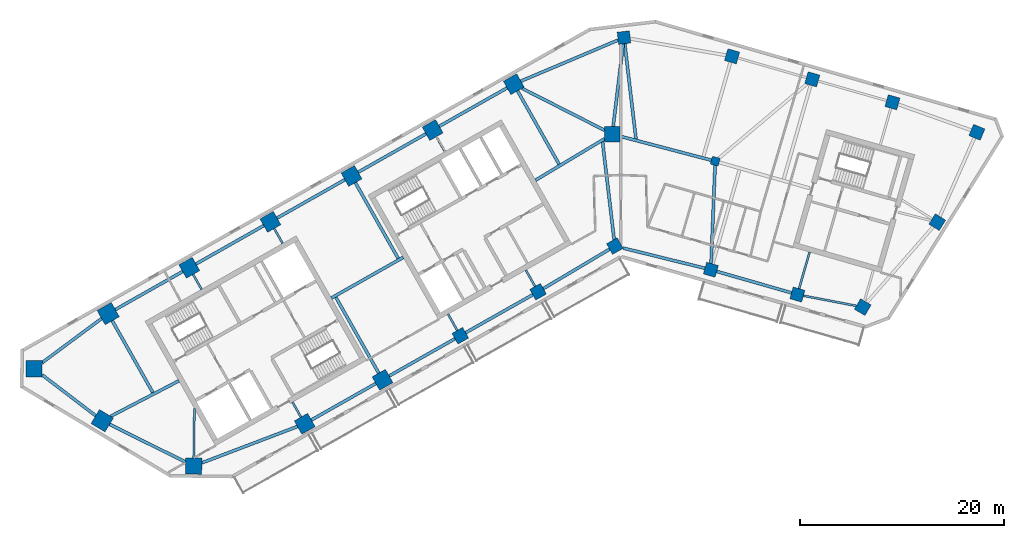
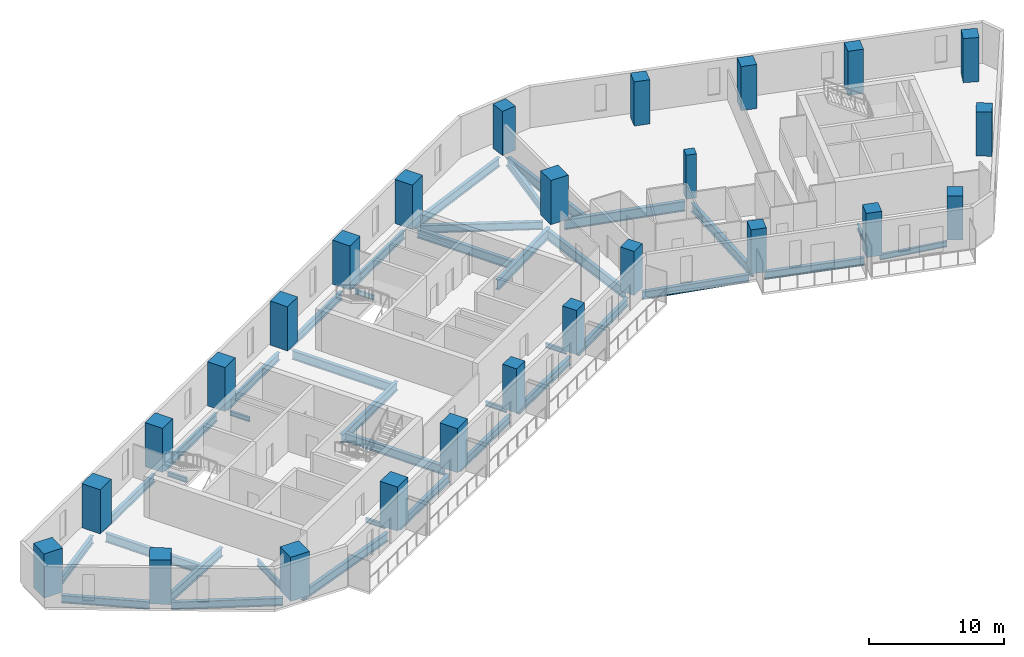
# One storey, part 1 of 9: 38 beams, 25 columns.
"""IFC4 building model written with IfcOpenShell, lengths in metres."""

from ifc_helpers import new_model, si_unit, direction, frame, origin, origin_2d, place, context, subcontext, project, spatial, rectangle, i_section, extrude, material, material_profile, profile_set, type_object, element, save


model = new_model("IFC4")

# Units and contexts
model_context = context("Model", 3, precision=1e-05, world=origin(), true_north=direction((0.0, 1.0)))
body_context = subcontext(model_context, "Body", "Model", "MODEL_VIEW")
ifc_project = project(units=[si_unit("LENGTHUNIT", "METRE"), si_unit("AREAUNIT", "SQUARE_METRE"), si_unit("VOLUMEUNIT", "CUBIC_METRE"), si_unit("PLANEANGLEUNIT", "RADIAN"), si_unit("MASSUNIT", "GRAM", prefix="KILO")], contexts=[model_context])

# Site, building, storey
site_placement = place(None, origin())
site = spatial("IfcSite", under=ifc_project, at=site_placement, CompositionType="ELEMENT")
building_placement = place(site_placement, origin())
building = spatial("IfcBuilding", under=site, at=building_placement, Name="Binnacle Exchange Tower", CompositionType="ELEMENT")
storey_placement = place(building_placement, frame((0.0, 0.0, 166.89990234375)))
storey = spatial("IfcBuildingStorey", under=building, at=storey_placement, Name="L35", CompositionType="ELEMENT", Elevation=166.89990234375)

# Columns
ifc_material_1 = material(Name="Concrete C60/75", Category="concrete")
ifc_material_profile_1 = material_profile(ifc_material_1, rectangle(XDim=0.800048828125, YDim=0.800048828125, at=origin_2d()), Name="Column 800x800 C60/75")
ifc_profile_set_1 = profile_set([ifc_material_profile_1], Name="Concrete C60/75")
column_type_1 = type_object("IfcColumnType", Name="Column 800x800 C60/75", PredefinedType="COLUMN", material=ifc_profile_set_1)
column_placement = place(storey_placement, frame((9.240966796875, 57.35009765625, 0.0), z_axis=(0.0, 0.0, 1.0), x_axis=(0.961261695938, -0.275637355817, 0.0)))
element("IfcColumn", 1, at=column_placement, inside=storey, type_object=column_type_1, Name="S:COL:C19:L35", PredefinedType="COLUMN", context=body_context, shape_type="SweptSolid", body=[
    extrude(rectangle(XDim=0.800048828125, YDim=0.800048828125, at=origin_2d()), origin(), (0.0, 0.0, 1.0), 4.0),
])
ifc_material_2 = material(Name="Concrete C70/85", Category="concrete")
ifc_material_profile_2 = material_profile(ifc_material_2, rectangle(XDim=1.199951171875, YDim=1.199951171875, at=origin_2d()), Name="Mega column 1200x1200 C70/85")
ifc_profile_set_2 = profile_set([ifc_material_profile_2], Name="Concrete C70/85")
column_type_2 = type_object("IfcColumnType", Name="Mega column 1200x1200 C70/85", PredefinedType="COLUMN", material=ifc_profile_set_2)
for number, where, z_axis, x_axis, name in (
    (2, (26.602783203125, 63.12353515625, 0.0), (0.0, 0.0, 1.0), (-0.961261695938, 0.275637355817, 0.0), "S:COL:MC52:L35"),
    (3, (18.746337890625, 65.376220703125, 0.0), (0.0, 0.0, 1.0), (-0.961261695938, 0.275637355817, 0.0), "S:COL:MC50:L35"),
    (4, (10.889892578125, 67.62890625, 0.0), (0.0, 0.0, 1.0), (-0.961261695938, 0.275637355817, 0.0), "S:COL:MC48:L35"),
    (5, (0.300048828125, 69.464111328125, 0.0), (0.0, 0.0, 1.0), (-0.993068456955, -0.117537397458, 0.0), "S:COL:MC47:L35"),
    (6, (-15.736328125, 40.257080078125, 0.0), (0.0, 0.0, 1.0), (0.87035569594, 0.492423560103, 0.0), "S:COL:MC24:L35"),
    (7, (-8.116943359375, 44.568115234375, 0.0), (0.0, 0.0, 1.0), (0.87035569594, 0.492423560103, 0.0), "S:COL:MC35:L35"),
    (8, (-0.5908203125, 49.04443359375, 0.0), (0.0, 0.0, 1.0), (0.87035569594, 0.492423560103, 0.0), "S:COL:MC46:L35"),
    (9, (8.8095703125, 46.722412109375, 0.0), (0.0, 0.0, 1.0), (0.961261695938, -0.275637355817, 0.0), "S:COL:MC49:L35"),
    (10, (17.2880859375, 44.291015625, 0.0), (0.0, 0.0, 1.0), (0.961261695938, -0.275637355817, 0.0), "S:COL:MC51:L35"),
    (11, (23.690185546875, 43.062744140625, 0.0), (0.0, 0.0, 1.0), (-0.86532642813, 0.501208711795, 0.0), "S:COL:MC53:L35"),
    (12, (30.989501953125, 51.38623046875, 0.0), (0.0, 0.0, 1.0), (0.529919264233, 0.848048096156, 0.0), "S:COL:MC55:L35"),
    (13, (34.870361328125, 60.18701171875, 0.0), (0.0, 0.0, 1.0), (-0.922814001807, 0.385245789164, 0.0), "S:COL:MC54:L35"),
):
    element("IfcColumn", number, at=place(storey_placement, frame(where, z_axis=z_axis, x_axis=x_axis)), inside=storey, type_object=column_type_2, Name=name, PredefinedType="COLUMN", context=body_context, shape_type="SweptSolid", body=[
        extrude(rectangle(XDim=1.199951171875, YDim=1.199951171875, at=origin_2d()), origin(), (0.0, 0.0, 1.0), 4.0),
    ])
ifc_material_profile_3 = material_profile(ifc_material_2, rectangle(XDim=1.5, YDim=1.5, at=origin_2d()), Name="Mega column 1500x1500 C70/85")
ifc_profile_set_3 = profile_set([ifc_material_profile_3], Name="Concrete C70/85")
column_type_3 = type_object("IfcColumnType", Name="Mega column 1500x1500 C70/85", PredefinedType="COLUMN", material=ifc_profile_set_3)
for number, where, z_axis, x_axis, name in (
    (14, (-10.4951171875, 64.901611328125, 0.0), (0.0, 0.0, 1.0), (-0.87035569594, -0.492423560103, 0.0), "S:COL:MC38:L35"),
    (15, (-18.44140625, 60.406005859375, 0.0), (0.0, 0.0, 1.0), (-0.87035569594, -0.492423560103, 0.0), "S:COL:MC29:L35"),
    (16, (-26.3876953125, 55.91015625, 0.0), (0.0, 0.0, 1.0), (-0.87035569594, -0.492423560103, 0.0), "S:COL:MC21:L35"),
    (17, (-34.333740234375, 51.414306640625, 0.0), (0.0, 0.0, 1.0), (-0.87035569594, -0.492423560103, 0.0), "S:COL:MC13:L35"),
    (18, (-42.280029296875, 46.918701171875, 0.0), (0.0, 0.0, 1.0), (-0.87035569594, -0.492423560103, 0.0), "S:COL:MC08:L35"),
    (19, (-30.9755859375, 31.63525390625, 0.0), (0.0, 0.0, 1.0), (0.87035569594, 0.492423560103, 0.0), "S:COL:MC07:L35"),
    (20, (-23.35595703125, 35.9462890625, 0.0), (0.0, 0.0, 1.0), (0.87035569594, 0.492423560103, 0.0), "S:COL:MC16:L35"),
    (21, (-0.85009765625, 60.0, 0.0), (0.0, 0.0, 1.0), (0.0, 1.0, 0.0), "S:COL:MC45:L35"),
):
    element("IfcColumn", number, at=place(storey_placement, frame(where, z_axis=z_axis, x_axis=x_axis)), inside=storey, type_object=column_type_3, Name=name, PredefinedType="COLUMN", context=body_context, shape_type="SweptSolid", body=[
        extrude(rectangle(XDim=1.5, YDim=1.5, at=origin_2d()), origin(), (0.0, 0.0, 1.0), 4.0),
    ])
ifc_material_profile_4 = material_profile(ifc_material_2, rectangle(XDim=1.60009765625, YDim=1.60009765625, at=origin_2d()), Name="Mega column 1600x1600 C70/85")
ifc_profile_set_4 = profile_set([ifc_material_profile_4], Name="Concrete C70/85")
column_type_4 = type_object("IfcColumnType", Name="Mega column 1600x1600 C70/85", PredefinedType="COLUMN", material=ifc_profile_set_4)
for number, where, z_axis, x_axis, name in (
    (22, (-50.226318359375, 42.4228515625, 0.0), (0.0, 0.0, 1.0), (-0.87035569594, -0.492423560103, 0.0), "S:COL:MC04:L35"),
    (23, (-57.492919921875, 37.02734375, 0.0), (0.0, 0.0, 1.0), (-0.013089595571, -0.999914327574, 0.0), "S:COL:MC02:L35"),
    (24, (-50.81201171875, 31.930908203125, 0.0), (0.0, 0.0, 1.0), (0.857167300702, -0.51503807491, 0.0), "S:COL:MC01:L35"),
    (25, (-41.857666015625, 27.494873046875, 0.0), (0.0, 0.0, 1.0), (0.999914327574, -0.013089595571, 0.0), "S:COL:MC03:L35"),
):
    element("IfcColumn", number, at=place(storey_placement, frame(where, z_axis=z_axis, x_axis=x_axis)), inside=storey, type_object=column_type_4, Name=name, PredefinedType="COLUMN", context=body_context, shape_type="SweptSolid", body=[
        extrude(rectangle(XDim=1.60009765625, YDim=1.60009765625, at=origin_2d()), origin(), (0.0, 0.0, 1.0), 4.0),
    ])

# Beams
ifc_material_3 = material(Name="Steel S355 (SHN355)", Category="steel")
ifc_material_profile_5 = material_profile(ifc_material_3, i_section(OverallWidth=0.200927734375, OverallDepth=0.506103515625, WebThickness=0.010986328125, FlangeThickness=0.01904296875, FilletRadius=0.02001953125, at=origin_2d()), Name="H 506x201x11x19")
ifc_profile_set_5 = profile_set([ifc_material_profile_5], Name="Steel S355 (SHN355)")
beam_type_1 = type_object("IfcBeamType", Name="Edge girder H 506x201x11x19 Steel S355 (SHN355)", PredefinedType="SPANDREL", material=ifc_profile_set_5)
beam_1_placement = place(storey_placement, frame((17.8798828125, 44.177490234375, -0.572998046875), z_axis=(0.982085171807, -0.188437563446, 0.0), x_axis=(0.188437563446, 0.982085171807, 0.0)))
element("IfcBeam", 26, at=beam_1_placement, inside=storey, type_object=beam_type_1, Name="S:BM:edge:L35:028", PredefinedType="SPANDREL", context=body_context, shape_type="SweptSolid", body=[
    extrude(i_section(OverallWidth=0.200927734375, OverallDepth=0.506103515625, WebThickness=0.010986328125, FlangeThickness=0.01904296875, FilletRadius=0.02001953125, at=origin_2d()), origin(), (0.0, 0.0, 1.0), 5.281005859375),
])
ifc_material_profile_6 = material_profile(ifc_material_3, i_section(OverallWidth=0.300048828125, OverallDepth=0.699951171875, WebThickness=0.012939453125, FlangeThickness=0.02392578125, FilletRadius=0.028076171875, at=origin_2d()), Name="H 700x300x13x24")
ifc_profile_set_6 = profile_set([ifc_material_profile_6], Name="Steel S355 (SHN355)")
beam_type_2 = type_object("IfcBeamType", Name="Edge girder H 700x300x13x24 Steel S355 (SHN355)", PredefinedType="SPANDREL", material=ifc_profile_set_6)
beam_2_placement = place(storey_placement, frame((-56.70068359375, 36.423095703125, -0.669921875), z_axis=(0.795078424379, -0.606506635649, 0.0), x_axis=(0.606506635649, 0.795078424379, 0.0)))
element("IfcBeam", 27, at=beam_2_placement, inside=storey, type_object=beam_type_2, Name="S:BM:edge:L35:011", PredefinedType="SPANDREL", context=body_context, shape_type="SweptSolid", body=[
    extrude(i_section(OverallWidth=0.300048828125, OverallDepth=0.699951171875, WebThickness=0.012939453125, FlangeThickness=0.02392578125, FilletRadius=0.028076171875, at=origin_2d()), origin(), (0.0, 0.0, 1.0), 6.6015625),
])
beam_3_placement = place(storey_placement, frame((-50.87353515625, 41.9423828125, -0.669921875), z_axis=(-0.802872533272, -0.596150732044, 0.0), x_axis=(0.596150732044, -0.802872533272, 0.0)))
element("IfcBeam", 28, at=beam_3_placement, inside=storey, type_object=beam_type_2, Name="S:BM:edge:L35:012", PredefinedType="SPANDREL", context=body_context, shape_type="SweptSolid", body=[
    extrude(i_section(OverallWidth=0.300048828125, OverallDepth=0.699951171875, WebThickness=0.012939453125, FlangeThickness=0.02392578125, FilletRadius=0.028076171875, at=origin_2d()), origin(), (0.0, 0.0, 1.0), 7.238525390625),
])
beam_4_placement = place(storey_placement, frame((-50.0927734375, 31.57470703125, -0.669921875), z_axis=(0.896061869104, -0.443929191131, 0.0), x_axis=(0.443929191131, 0.896061869104, 0.0)))
element("IfcBeam", 29, at=beam_4_placement, inside=storey, type_object=beam_type_2, Name="S:BM:edge:L35:013", PredefinedType="SPANDREL", context=body_context, shape_type="SweptSolid", body=[
    extrude(i_section(OverallWidth=0.300048828125, OverallDepth=0.699951171875, WebThickness=0.012939453125, FlangeThickness=0.02392578125, FilletRadius=0.028076171875, at=origin_2d()), origin(), (0.0, 0.0, 1.0), 8.30322265625),
])
beam_5_placement = place(storey_placement, frame((-42.932861328125, 46.54931640625, -0.669921875), z_axis=(-0.870352192811, -0.492429751811, 0.0), x_axis=(0.492429751811, -0.870352192811, 0.0)))
element("IfcBeam", 30, at=beam_5_placement, inside=storey, type_object=beam_type_2, Name="S:BM:edge:L35:014", PredefinedType="SPANDREL", context=body_context, shape_type="SweptSolid", body=[
    extrude(i_section(OverallWidth=0.300048828125, OverallDepth=0.699951171875, WebThickness=0.012939453125, FlangeThickness=0.02392578125, FilletRadius=0.028076171875, at=origin_2d()), origin(), (0.0, 0.0, 1.0), 7.57958984375),
])
beam_6_placement = place(storey_placement, frame((-34.986572265625, 51.045166015625, -0.669921875), z_axis=(-0.870355964277, -0.492423085818, 0.0), x_axis=(0.492423085818, -0.870355964277, 0.0)))
element("IfcBeam", 31, at=beam_6_placement, inside=storey, type_object=beam_type_2, Name="S:BM:edge:L35:016", PredefinedType="SPANDREL", context=body_context, shape_type="SweptSolid", body=[
    extrude(i_section(OverallWidth=0.300048828125, OverallDepth=0.699951171875, WebThickness=0.012939453125, FlangeThickness=0.02392578125, FilletRadius=0.028076171875, at=origin_2d()), origin(), (0.0, 0.0, 1.0), 7.6298828125),
])
beam_7_placement = place(storey_placement, frame((-30.32275390625, 32.004638671875, -0.669921875), z_axis=(0.870355920795, 0.492423162674, 0.0), x_axis=(-0.492423162674, 0.870355920795, 0.0)))
element("IfcBeam", 32, at=beam_7_placement, inside=storey, type_object=beam_type_2, Name="S:BM:edge:L35:017", PredefinedType="SPANDREL", context=body_context, shape_type="SweptSolid", body=[
    extrude(i_section(OverallWidth=0.300048828125, OverallDepth=0.699951171875, WebThickness=0.012939453125, FlangeThickness=0.02392578125, FilletRadius=0.028076171875, at=origin_2d()), origin(), (0.0, 0.0, 1.0), 7.25439453125),
])
beam_8_placement = place(storey_placement, frame((-27.040283203125, 55.541015625, -0.669921875), z_axis=(-0.870342250182, -0.492447324643, 0.0), x_axis=(0.492447324643, -0.870342250182, 0.0)))
element("IfcBeam", 33, at=beam_8_placement, inside=storey, type_object=beam_type_2, Name="S:BM:edge:L35:018", PredefinedType="SPANDREL", context=body_context, shape_type="SweptSolid", body=[
    extrude(i_section(OverallWidth=0.300048828125, OverallDepth=0.699951171875, WebThickness=0.012939453125, FlangeThickness=0.02392578125, FilletRadius=0.028076171875, at=origin_2d()), origin(), (0.0, 0.0, 1.0), 7.6298828125),
])
beam_9_placement = place(storey_placement, frame((-22.703125, 36.3154296875, -0.669921875), z_axis=(0.87035151347, 0.49243095252, 0.0), x_axis=(-0.49243095252, 0.87035151347, 0.0)))
element("IfcBeam", 34, at=beam_9_placement, inside=storey, type_object=beam_type_2, Name="S:BM:edge:L35:019", PredefinedType="SPANDREL", context=body_context, shape_type="SweptSolid", body=[
    extrude(i_section(OverallWidth=0.300048828125, OverallDepth=0.699951171875, WebThickness=0.012939453125, FlangeThickness=0.02392578125, FilletRadius=0.028076171875, at=origin_2d()), origin(), (0.0, 0.0, 1.0), 7.404541015625),
])
beam_10_placement = place(storey_placement, frame((-19.093994140625, 60.03662109375, -0.669921875), z_axis=(-0.870363722936, -0.492409372165, 0.0), x_axis=(0.492409372165, -0.870363722936, 0.0)))
element("IfcBeam", 35, at=beam_10_placement, inside=storey, type_object=beam_type_2, Name="S:BM:edge:L35:020", PredefinedType="SPANDREL", context=body_context, shape_type="SweptSolid", body=[
    extrude(i_section(OverallWidth=0.300048828125, OverallDepth=0.699951171875, WebThickness=0.012939453125, FlangeThickness=0.02392578125, FilletRadius=0.028076171875, at=origin_2d()), origin(), (0.0, 0.0, 1.0), 7.6298828125),
])
beam_11_placement = place(storey_placement, frame((-15.214111328125, 40.552734375, -0.669921875), z_axis=(0.870353295418, 0.492427802988, 0.0), x_axis=(-0.492427802988, 0.870353295418, 0.0)))
element("IfcBeam", 36, at=beam_11_placement, inside=storey, type_object=beam_type_2, Name="S:BM:edge:L35:021", PredefinedType="SPANDREL", context=body_context, shape_type="SweptSolid", body=[
    extrude(i_section(OverallWidth=0.300048828125, OverallDepth=0.699951171875, WebThickness=0.012939453125, FlangeThickness=0.02392578125, FilletRadius=0.028076171875, at=origin_2d()), origin(), (0.0, 0.0, 1.0), 7.554443359375),
])
beam_12_placement = place(storey_placement, frame((-11.14794921875, 64.532470703125, -0.669921875), z_axis=(-0.870355964277, -0.492423085818, 0.0), x_axis=(0.492423085818, -0.870355964277, 0.0)))
element("IfcBeam", 37, at=beam_12_placement, inside=storey, type_object=beam_type_2, Name="S:BM:edge:L35:022", PredefinedType="SPANDREL", context=body_context, shape_type="SweptSolid", body=[
    extrude(i_section(OverallWidth=0.300048828125, OverallDepth=0.699951171875, WebThickness=0.012939453125, FlangeThickness=0.02392578125, FilletRadius=0.028076171875, at=origin_2d()), origin(), (0.0, 0.0, 1.0), 7.6298828125),
])
beam_13_placement = place(storey_placement, frame((-7.60107421875, 44.875, -0.669921875), z_axis=(0.85946222832, 0.511199254783, 0.0), x_axis=(-0.511199254783, 0.85946222832, 0.0)))
element("IfcBeam", 38, at=beam_13_placement, inside=storey, type_object=beam_type_2, Name="S:BM:edge:L35:023", PredefinedType="SPANDREL", context=body_context, shape_type="SweptSolid", body=[
    extrude(i_section(OverallWidth=0.300048828125, OverallDepth=0.699951171875, WebThickness=0.012939453125, FlangeThickness=0.02392578125, FilletRadius=0.028076171875, at=origin_2d()), origin(), (0.0, 0.0, 1.0), 7.556396484375),
])
beam_14_placement = place(storey_placement, frame((0.21044921875, 48.846435546875, -0.669921875), z_axis=(0.970817017645, -0.239821429924, 0.0), x_axis=(0.239821429924, 0.970817017645, 0.0)))
element("IfcBeam", 39, at=beam_14_placement, inside=storey, type_object=beam_type_2, Name="S:BM:edge:L35:025", PredefinedType="SPANDREL", context=body_context, shape_type="SweptSolid", body=[
    extrude(i_section(OverallWidth=0.300048828125, OverallDepth=0.699951171875, WebThickness=0.012939453125, FlangeThickness=0.02392578125, FilletRadius=0.028076171875, at=origin_2d()), origin(), (0.0, 0.0, 1.0), 8.257080078125),
])
beam_15_placement = place(storey_placement, frame((9.38623046875, 46.556884765625, -0.669921875), z_axis=(0.961266012815, -0.275622300635, 0.0), x_axis=(0.275622300635, 0.961266012815, 0.0)))
element("IfcBeam", 40, at=beam_15_placement, inside=storey, type_object=beam_type_2, Name="S:BM:edge:L35:026", PredefinedType="SPANDREL", context=body_context, shape_type="SweptSolid", body=[
    extrude(i_section(OverallWidth=0.300048828125, OverallDepth=0.699951171875, WebThickness=0.012939453125, FlangeThickness=0.02392578125, FilletRadius=0.028076171875, at=origin_2d()), origin(), (0.0, 0.0, 1.0), 7.620361328125),
])
ifc_material_profile_7 = material_profile(ifc_material_3, i_section(OverallWidth=0.300048828125, OverallDepth=0.800048828125, WebThickness=0.013916015625, FlangeThickness=0.02587890625, FilletRadius=0.028076171875, at=origin_2d()), Name="H 800x300x14x26")
ifc_profile_set_7 = profile_set([ifc_material_profile_7], Name="Steel S355 (SHN355)")
beam_type_3 = type_object("IfcBeamType", Name="Edge girder H 800x300x14x26 Steel S355 (SHN355)", PredefinedType="SPANDREL", material=ifc_profile_set_7)
beam_16_placement = place(storey_placement, frame((-41.0537109375, 27.80078125, -0.719970703125), z_axis=(0.934633884233, 0.355611448695, 0.0), x_axis=(-0.355611448695, 0.934633884233, 0.0)))
element("IfcBeam", 41, at=beam_16_placement, inside=storey, type_object=beam_type_3, Name="S:BM:edge:L35:015", PredefinedType="SPANDREL", context=body_context, shape_type="SweptSolid", body=[
    extrude(i_section(OverallWidth=0.300048828125, OverallDepth=0.800048828125, WebThickness=0.013916015625, FlangeThickness=0.02587890625, FilletRadius=0.028076171875, at=origin_2d()), origin(), (0.0, 0.0, 1.0), 10.024169921875),
])
beam_17_placement = place(storey_placement, frame((-0.275390625, 69.220947265625, -0.719970703125), z_axis=(-0.921111875234, -0.389297974953, 0.0), x_axis=(0.389297974953, -0.921111875234, 0.0)))
element("IfcBeam", 42, at=beam_17_placement, inside=storey, type_object=beam_type_3, Name="S:BM:edge:L35:024", PredefinedType="SPANDREL", context=body_context, shape_type="SweptSolid", body=[
    extrude(i_section(OverallWidth=0.300048828125, OverallDepth=0.800048828125, WebThickness=0.013916015625, FlangeThickness=0.02587890625, FilletRadius=0.028076171875, at=origin_2d()), origin(), (0.0, 0.0, 1.0), 10.340087890625),
])
ifc_material_profile_8 = material_profile(ifc_material_3, i_section(OverallWidth=0.199951171875, OverallDepth=0.39990234375, WebThickness=0.008056640625, FlangeThickness=0.012939453125, FilletRadius=0.01611328125, at=origin_2d()), Name="H 400x200x8x13")
ifc_profile_set_8 = profile_set([ifc_material_profile_8], Name="Steel S355 (SHN355)")
beam_type_4 = type_object("IfcBeamType", Name="Floor beam H 400x200x8x13 Steel S355 (SHN355)", PredefinedType="BEAM", material=ifc_profile_set_8)
beam_18_placement = place(storey_placement, frame((-41.91064453125, 46.265869140625, -0.52001953125), z_axis=(0.49243456751, -0.870349468157, 0.0), x_axis=(0.870349468157, 0.49243456751, 0.0)))
element("IfcBeam", 43, at=beam_18_placement, inside=storey, type_object=beam_type_4, Name="S:BM:cross:L35:035", PredefinedType="BEAM", context=body_context, shape_type="SweptSolid", body=[
    extrude(i_section(OverallWidth=0.199951171875, OverallDepth=0.39990234375, WebThickness=0.008056640625, FlangeThickness=0.012939453125, FilletRadius=0.01611328125, at=origin_2d()), origin(), (0.0, 0.0, 1.0), 1.68408203125),
])
beam_19_placement = place(storey_placement, frame((-33.964599609375, 50.76171875, -0.52001953125), z_axis=(0.492482237839, -0.870322495063, 0.0), x_axis=(0.870322495063, 0.492482237839, 0.0)))
element("IfcBeam", 44, at=beam_19_placement, inside=storey, type_object=beam_type_4, Name="S:BM:cross:L35:037", PredefinedType="BEAM", context=body_context, shape_type="SweptSolid", body=[
    extrude(i_section(OverallWidth=0.199951171875, OverallDepth=0.39990234375, WebThickness=0.008056640625, FlangeThickness=0.012939453125, FilletRadius=0.01611328125, at=origin_2d()), origin(), (0.0, 0.0, 1.0), 1.6845703125),
])
for number, where, z_axis, x_axis, name in (
    (45, (-31.344970703125, 32.2880859375, -0.52001953125), (-0.49243456751, 0.870349468157, 0.0), (-0.870349468157, -0.49243456751, 0.0), "S:BM:cross:L35:038"),
    (46, (-18.072021484375, 59.753173828125, -0.52001953125), (0.49243456751, -0.870349468157, 0.0), (0.870349468157, 0.49243456751, 0.0), "S:BM:cross:L35:041"),
):
    element("IfcBeam", number, at=place(storey_placement, frame(where, z_axis=z_axis, x_axis=x_axis)), inside=storey, type_object=beam_type_4, Name=name, PredefinedType="BEAM", context=body_context, shape_type="SweptSolid", body=[
        extrude(i_section(OverallWidth=0.199951171875, OverallDepth=0.39990234375, WebThickness=0.008056640625, FlangeThickness=0.012939453125, FilletRadius=0.01611328125, at=origin_2d()), origin(), (0.0, 0.0, 1.0), 1.68408203125),
    ])
beam_20_placement = place(storey_placement, frame((-16.031982421875, 40.779296875, -0.52001953125), z_axis=(-0.492307212856, 0.870421511781, 0.0), x_axis=(-0.870421511781, -0.492307212856, 0.0)))
element("IfcBeam", 47, at=beam_20_placement, inside=storey, type_object=beam_type_4, Name="S:BM:cross:L35:042", PredefinedType="BEAM", context=body_context, shape_type="SweptSolid", body=[
    extrude(i_section(OverallWidth=0.199951171875, OverallDepth=0.39990234375, WebThickness=0.008056640625, FlangeThickness=0.012939453125, FilletRadius=0.01611328125, at=origin_2d()), origin(), (0.0, 0.0, 1.0), 1.83447265625),
])
beam_21_placement = place(storey_placement, frame((-8.412353515625, 45.09033203125, -0.52001953125), z_axis=(-0.492465079532, 0.87033220407, 0.0), x_axis=(-0.87033220407, -0.492465079532, 0.0)))
element("IfcBeam", 48, at=beam_21_placement, inside=storey, type_object=beam_type_4, Name="S:BM:cross:L35:044", PredefinedType="BEAM", context=body_context, shape_type="SweptSolid", body=[
    extrude(i_section(OverallWidth=0.199951171875, OverallDepth=0.39990234375, WebThickness=0.008056640625, FlangeThickness=0.012939453125, FilletRadius=0.01611328125, at=origin_2d()), origin(), (0.0, 0.0, 1.0), 1.834228515625),
])
ifc_material_profile_9 = material_profile(ifc_material_3, i_section(OverallWidth=0.199951171875, OverallDepth=0.5, WebThickness=0.010009765625, FlangeThickness=0.01611328125, FilletRadius=0.02001953125, at=origin_2d()), Name="H 500x200x10x16")
ifc_profile_set_9 = profile_set([ifc_material_profile_9], Name="Steel S355 (SHN355)")
beam_type_5 = type_object("IfcBeamType", Name="Floor beam H 500x200x10x16 Steel S355 (SHN355)", PredefinedType="BEAM", material=ifc_profile_set_9)
beam_22_placement = place(storey_placement, frame((17.45361328125, 44.867919921875, -0.56982421875), z_axis=(0.275644746045, 0.961259576794, 0.0), x_axis=(-0.961259576794, 0.275644746045, 0.0)))
element("IfcBeam", 49, at=beam_22_placement, inside=storey, type_object=beam_type_5, Name="S:BM:cross:L35:049", PredefinedType="BEAM", context=body_context, shape_type="SweptSolid", body=[
    extrude(i_section(OverallWidth=0.199951171875, OverallDepth=0.5, WebThickness=0.010009765625, FlangeThickness=0.01611328125, FilletRadius=0.02001953125, at=origin_2d()), origin(), (0.0, 0.0, 1.0), 3.735107421875),
])
ifc_material_profile_10 = material_profile(ifc_material_3, i_section(OverallWidth=0.200927734375, OverallDepth=0.60595703125, WebThickness=0.011962890625, FlangeThickness=0.02001953125, FilletRadius=0.02197265625, at=origin_2d()), Name="H 606x201x12x20")
ifc_profile_set_10 = profile_set([ifc_material_profile_10], Name="Steel S355 (SHN355)")
beam_type_6 = type_object("IfcBeamType", Name="Floor beam H 606x201x12x20 Steel S355 (SHN355)", PredefinedType="BEAM", material=ifc_profile_set_10)
beam_23_placement = place(storey_placement, frame((-41.84716796875, 28.294677734375, -0.622802734375), z_axis=(0.013085908175, 0.999914375838, 0.0), x_axis=(-0.999914375838, 0.013085908175, 0.0)))
element("IfcBeam", 50, at=beam_23_placement, inside=storey, type_object=beam_type_6, Name="S:BM:cross:L35:036", PredefinedType="BEAM", context=body_context, shape_type="SweptSolid", body=[
    extrude(i_section(OverallWidth=0.200927734375, OverallDepth=0.60595703125, WebThickness=0.011962890625, FlangeThickness=0.02001953125, FilletRadius=0.02197265625, at=origin_2d()), origin(), (0.0, 0.0, 1.0), 4.850830078125),
])
ifc_material_profile_11 = material_profile(ifc_material_3, i_section(OverallWidth=0.302001953125, OverallDepth=0.80810546875, WebThickness=0.01611328125, FlangeThickness=0.030029296875, FilletRadius=0.028076171875, at=origin_2d()), Name="H 808x302x16x30")
ifc_profile_set_11 = profile_set([ifc_material_profile_11], Name="Steel S355 (SHN355)")
beam_type_7 = type_object("IfcBeamType", Name="Floor beam H 808x302x16x30 Steel S355 (SHN355)", PredefinedType="BEAM", material=ifc_profile_set_11)
beam_24_placement = place(storey_placement, frame((-49.832275390625, 41.7265625, -0.723876953125), z_axis=(0.492430056331, -0.870352020519, 0.0), x_axis=(0.870352020519, 0.492430056331, 0.0)))
element("IfcBeam", 51, at=beam_24_placement, inside=storey, type_object=beam_type_7, Name="S:BM:cross:L35:034", PredefinedType="BEAM", context=body_context, shape_type="SweptSolid", body=[
    extrude(i_section(OverallWidth=0.302001953125, OverallDepth=0.80810546875, WebThickness=0.01611328125, FlangeThickness=0.030029296875, FilletRadius=0.028076171875, at=origin_2d()), origin(), (0.0, 0.0, 1.0), 8.09130859375),
])
for number, where, z_axis, x_axis, name in (
    (52, (-26.018310546875, 55.25732421875, -0.723876953125), (0.4924220214, -0.870356566495, 0.0), (0.870356566495, 0.4924220214, 0.0), "S:BM:cross:L35:039"),
    (53, (-23.725341796875, 36.59912109375, -0.723876953125), (-0.4924220214, 0.870356566495, 0.0), (-0.870356566495, -0.4924220214, 0.0), "S:BM:cross:L35:040"),
):
    element("IfcBeam", number, at=place(storey_placement, frame(where, z_axis=z_axis, x_axis=x_axis)), inside=storey, type_object=beam_type_7, Name=name, PredefinedType="BEAM", context=body_context, shape_type="SweptSolid", body=[
        extrude(i_section(OverallWidth=0.302001953125, OverallDepth=0.80810546875, WebThickness=0.01611328125, FlangeThickness=0.030029296875, FilletRadius=0.028076171875, at=origin_2d()), origin(), (0.0, 0.0, 1.0), 8.5341796875),
    ])
beam_25_placement = place(storey_placement, frame((-10.125732421875, 64.248779296875, -0.723876953125), z_axis=(0.492423973828, -0.870355461866, 0.0), x_axis=(0.870355461866, 0.492423973828, 0.0)))
element("IfcBeam", 54, at=beam_25_placement, inside=storey, type_object=beam_type_7, Name="S:BM:cross:L35:043", PredefinedType="BEAM", context=body_context, shape_type="SweptSolid", body=[
    extrude(i_section(OverallWidth=0.302001953125, OverallDepth=0.80810546875, WebThickness=0.01611328125, FlangeThickness=0.030029296875, FilletRadius=0.028076171875, at=origin_2d()), origin(), (0.0, 0.0, 1.0), 8.269287109375),
])
ifc_material_profile_12 = material_profile(ifc_material_3, i_section(OverallWidth=0.302001953125, OverallDepth=0.912109375, WebThickness=0.01806640625, FlangeThickness=0.033935546875, FilletRadius=0.028076171875, at=origin_2d()), Name="H 912x302x18x34")
ifc_profile_set_12 = profile_set([ifc_material_profile_12], Name="Steel S355 (SHN355)")
beam_type_8 = type_object("IfcBeamType", Name="Floor beam H 912x302x18x34 Steel S355 (SHN355)", PredefinedType="BEAM", material=ifc_profile_set_12)
beam_26_placement = place(storey_placement, frame((-0.66748046875, 49.690673828125, -0.77587890625), z_axis=(-0.117518220547, 0.993070726504, 0.0), x_axis=(-0.993070726504, -0.117518220547, 0.0)))
element("IfcBeam", 55, at=beam_26_placement, inside=storey, type_object=beam_type_8, Name="S:BM:cross:L35:045", PredefinedType="BEAM", context=body_context, shape_type="SweptSolid", body=[
    extrude(i_section(OverallWidth=0.302001953125, OverallDepth=0.912109375, WebThickness=0.01806640625, FlangeThickness=0.033935546875, FilletRadius=0.028076171875, at=origin_2d()), origin(), (0.0, 0.0, 1.0), 9.645751953125),
])
beam_27_placement = place(storey_placement, frame((0.37060546875, 68.868408203125, -0.77587890625), z_axis=(0.117552497625, -0.993066669616, 0.0), x_axis=(0.993066669616, 0.117552497625, 0.0)))
element("IfcBeam", 56, at=beam_27_placement, inside=storey, type_object=beam_type_8, Name="S:BM:cross:L35:046", PredefinedType="BEAM", context=body_context, shape_type="SweptSolid", body=[
    extrude(i_section(OverallWidth=0.302001953125, OverallDepth=0.912109375, WebThickness=0.01806640625, FlangeThickness=0.033935546875, FilletRadius=0.028076171875, at=origin_2d()), origin(), (0.0, 0.0, 1.0), 9.39990234375),
])
ifc_material_profile_13 = material_profile(ifc_material_3, i_section(OverallWidth=0.300048828125, OverallDepth=0.699951171875, WebThickness=0.012939453125, FlangeThickness=0.02392578125, FilletRadius=0.028076171875, at=origin_2d()), Name="H 700x300x13x24")
ifc_profile_set_13 = profile_set([ifc_material_profile_13], Name="Steel S355 (SHN355)")
beam_type_9 = type_object("IfcBeamType", Name="Spine girder H 700x300x13x24 Steel S355 (SHN355)", PredefinedType="BEAM", material=ifc_profile_set_13)
beam_28_placement = place(storey_placement, frame((-0.7587890625, 60.75, -0.669921875), z_axis=(0.120620829002, 0.992698652971, 0.0), x_axis=(-0.992698652971, 0.120620829002, 0.0)))
element("IfcBeam", 57, at=beam_28_placement, inside=storey, type_object=beam_type_9, Name="S:BM:spine:L35:005", PredefinedType="BEAM", context=body_context, shape_type="SweptSolid", body=[
    extrude(i_section(OverallWidth=0.300048828125, OverallDepth=0.699951171875, WebThickness=0.012939453125, FlangeThickness=0.02392578125, FilletRadius=0.028076171875, at=origin_2d()), origin(), (0.0, 0.0, 1.0), 8.160888671875),
])
ifc_material_profile_14 = material_profile(ifc_material_3, i_section(OverallWidth=0.302001953125, OverallDepth=0.7080078125, WebThickness=0.014892578125, FlangeThickness=0.028076171875, FilletRadius=0.028076171875, at=origin_2d()), Name="H 708x302x15x28")
ifc_profile_set_14 = profile_set([ifc_material_profile_14], Name="Steel S355 (SHN355)")
beam_type_10 = type_object("IfcBeamType", Name="Spine girder H 708x302x15x28 Steel S355 (SHN355)", PredefinedType="BEAM", material=ifc_profile_set_14)
beam_29_placement = place(storey_placement, frame((-1.60009765625, 60.381103515625, -0.673828125), z_axis=(-0.891476459322, 0.453067017641, 0.0), x_axis=(-0.453067017641, -0.891476459322, 0.0)))
element("IfcBeam", 58, at=beam_29_placement, inside=storey, type_object=beam_type_10, Name="S:BM:spine:L35:004", PredefinedType="BEAM", context=body_context, shape_type="SweptSolid", body=[
    extrude(i_section(OverallWidth=0.302001953125, OverallDepth=0.7080078125, WebThickness=0.014892578125, FlangeThickness=0.028076171875, FilletRadius=0.028076171875, at=origin_2d()), origin(), (0.0, 0.0, 1.0), 9.07763671875),
])
ifc_material_profile_15 = material_profile(ifc_material_3, i_section(OverallWidth=0.302001953125, OverallDepth=0.80810546875, WebThickness=0.01611328125, FlangeThickness=0.030029296875, FilletRadius=0.028076171875, at=origin_2d()), Name="H 808x302x16x30")
ifc_profile_set_15 = profile_set([ifc_material_profile_15], Name="Steel S355 (SHN355)")
beam_type_11 = type_object("IfcBeamType", Name="Spine girder H 808x302x16x30 Steel S355 (SHN355)", PredefinedType="BEAM", material=ifc_profile_set_15)
beam_30_placement = place(storey_placement, frame((-49.979736328125, 32.3642578125, -0.723876953125), z_axis=(0.886978621009, 0.461810486968, 0.0), x_axis=(-0.461810486968, 0.886978621009, 0.0)))
element("IfcBeam", 59, at=beam_30_placement, inside=storey, type_object=beam_type_11, Name="S:BM:spine:L35:001", PredefinedType="BEAM", context=body_context, shape_type="SweptSolid", body=[
    extrude(i_section(OverallWidth=0.302001953125, OverallDepth=0.80810546875, WebThickness=0.01611328125, FlangeThickness=0.030029296875, FilletRadius=0.028076171875, at=origin_2d()), origin(), (0.0, 0.0, 1.0), 7.522216796875),
])
beam_31_placement = place(storey_placement, frame((-28.365478515625, 43.951416015625, -0.723876953125), z_axis=(0.870350319004, 0.492433063684, 0.0), x_axis=(-0.492433063684, 0.870350319004, 0.0)))
element("IfcBeam", 60, at=beam_31_placement, inside=storey, type_object=beam_type_11, Name="S:BM:spine:L35:002", PredefinedType="BEAM", context=body_context, shape_type="SweptSolid", body=[
    extrude(i_section(OverallWidth=0.302001953125, OverallDepth=0.80810546875, WebThickness=0.01611328125, FlangeThickness=0.030029296875, FilletRadius=0.028076171875, at=origin_2d()), origin(), (0.0, 0.0, 1.0), 8.0908203125),
])
beam_32_placement = place(storey_placement, frame((9.22412109375, 56.93896484375, -0.723876953125), z_axis=(-0.040556634715, -0.999177241224, 0.0), x_axis=(0.999177241224, -0.040556634715, 0.0)))
element("IfcBeam", 61, at=beam_32_placement, inside=storey, type_object=beam_type_11, Name="S:BM:spine:L35:007", PredefinedType="BEAM", context=body_context, shape_type="SweptSolid", body=[
    extrude(i_section(OverallWidth=0.302001953125, OverallDepth=0.80810546875, WebThickness=0.01611328125, FlangeThickness=0.030029296875, FilletRadius=0.028076171875, at=origin_2d()), origin(), (0.0, 0.0, 1.0), 9.607421875),
])
ifc_material_profile_16 = material_profile(ifc_material_3, i_section(OverallWidth=0.302001953125, OverallDepth=0.912109375, WebThickness=0.01806640625, FlangeThickness=0.033935546875, FilletRadius=0.028076171875, at=origin_2d()), Name="H 912x302x18x34")
ifc_profile_set_16 = profile_set([ifc_material_profile_16], Name="Steel S355 (SHN355)")
beam_type_12 = type_object("IfcBeamType", Name="Spine girder H 912x302x18x34 Steel S355 (SHN355)", PredefinedType="BEAM", material=ifc_profile_set_16)
beam_33_placement = place(storey_placement, frame((-8.36328125, 55.489990234375, -0.77587890625), z_axis=(0.857386401747, 0.514673253724, 0.0), x_axis=(-0.514673253724, 0.857386401747, 0.0)))
element("IfcBeam", 62, at=beam_33_placement, inside=storey, type_object=beam_type_12, Name="S:BM:spine:L35:003", PredefinedType="BEAM", context=body_context, shape_type="SweptSolid", body=[
    extrude(i_section(OverallWidth=0.302001953125, OverallDepth=0.912109375, WebThickness=0.01806640625, FlangeThickness=0.033935546875, FilletRadius=0.028076171875, at=origin_2d()), origin(), (0.0, 0.0, 1.0), 7.88818359375),
])
beam_34_placement = place(storey_placement, frame((-0.10009765625, 59.802978515625, -0.77587890625), z_axis=(0.967214448634, -0.253961041017, 0.0), x_axis=(0.253961041017, 0.967214448634, 0.0)))
element("IfcBeam", 63, at=beam_34_placement, inside=storey, type_object=beam_type_12, Name="S:BM:spine:L35:006", PredefinedType="BEAM", context=body_context, shape_type="SweptSolid", body=[
    extrude(i_section(OverallWidth=0.302001953125, OverallDepth=0.912109375, WebThickness=0.01806640625, FlangeThickness=0.033935546875, FilletRadius=0.028076171875, at=origin_2d()), origin(), (0.0, 0.0, 1.0), 9.257568359375),
])

save(model, "model.ifc")
